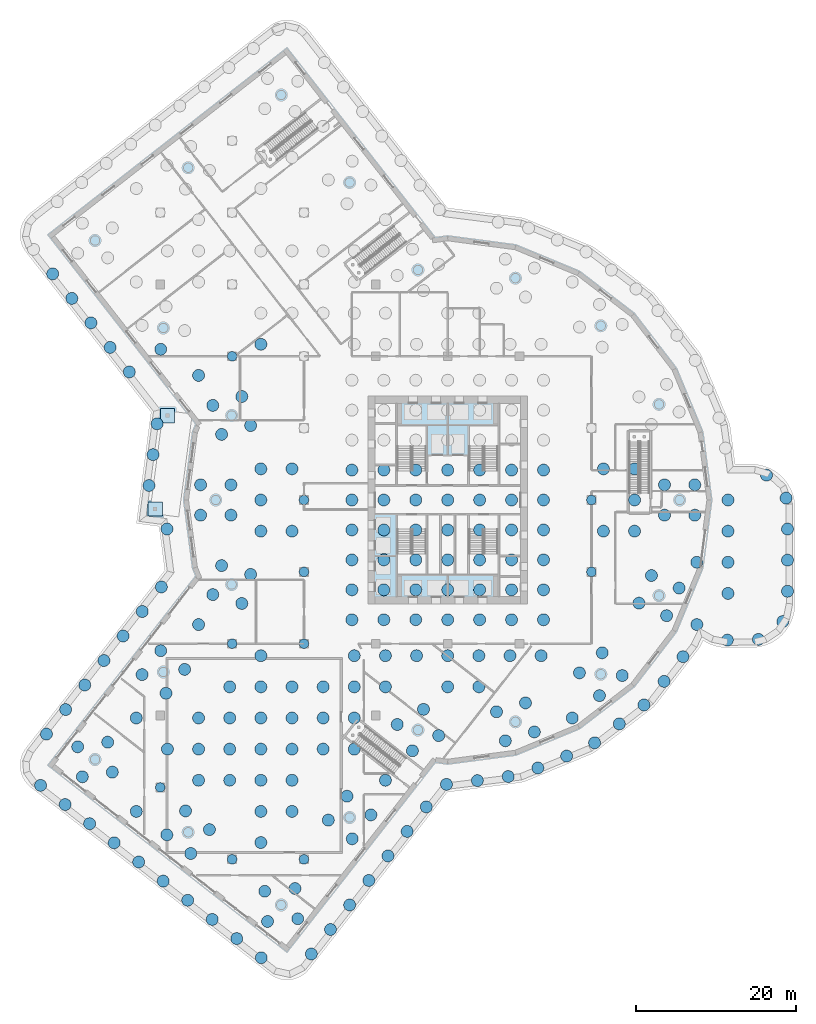
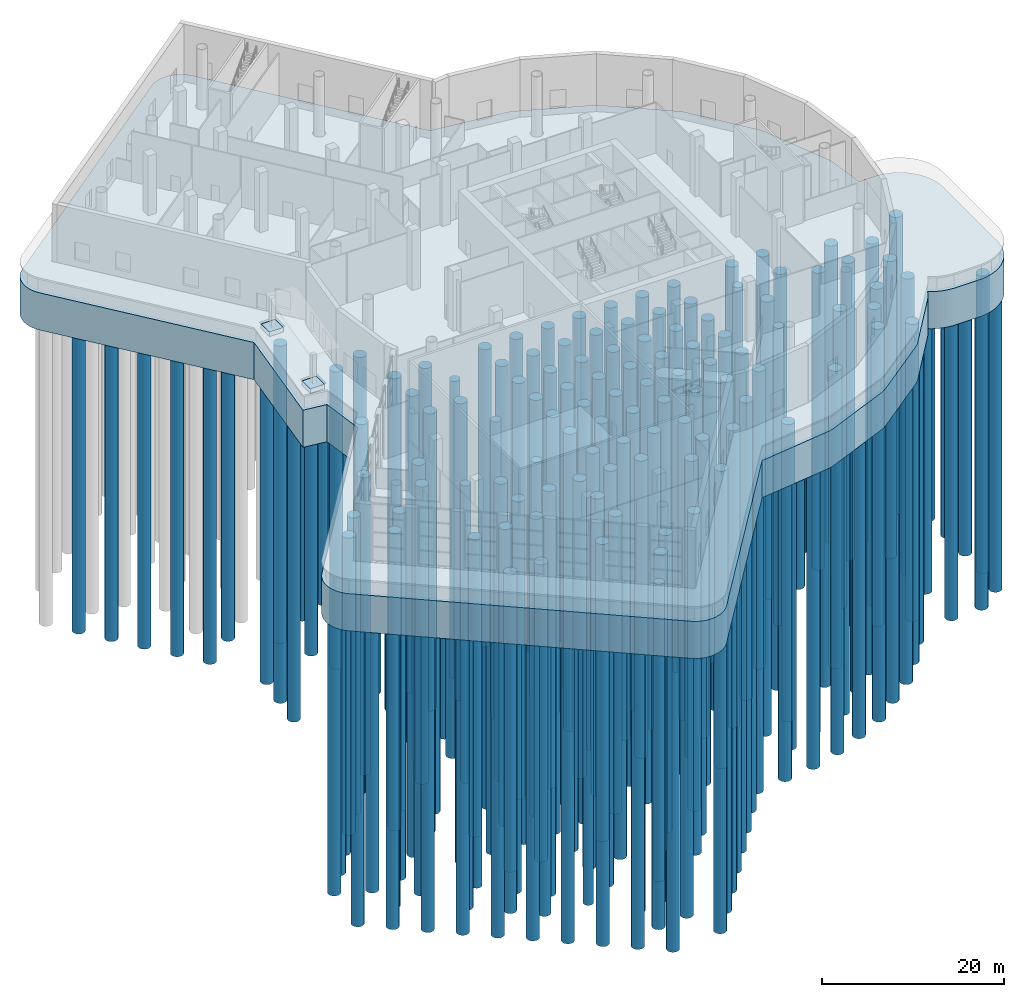
# One storey, part 1 of 34: 215 piles, 3 footings.
"""IFC4 building model written with IfcOpenShell, lengths in metres."""

import ifcopenshell
import ifcopenshell.guid

model = None  # the IFC model being written
_history = None  # IfcOwnerHistory: only IFC2X3 demands one
_inside = {}  # id of a spatial element -> (the spatial element, [elements in it])
_under = {}  # id of a project, library or spatial element -> (it, [spatial elements below it])
_declared = {}  # id of a project -> (the project, [libraries it declares])
_typed = {}  # id of a type object -> (the type object, [elements of that type])
_made_of = {}  # id of a material, layer set ... -> (it, [elements and type objects made of it])


def new_model(schema):
    """Start an empty IFC model of exactly this schema.

    Asked for "IFC4X3", IfcOpenShell would pick the latest addendum, in which some entities
    have other attributes; the version numbers below select the first issue.
    IFC2X3 requires an IfcOwnerHistory on every rooted entity: one is made here for all.
    """
    global model, _history
    if schema == "IFC4X3":
        model = ifcopenshell.file(schema_version=(4, 3, 0, 0))
    else:
        model = ifcopenshell.file(schema=schema)
    _inside.clear()
    _under.clear()
    _declared.clear()
    _typed.clear()
    _made_of.clear()
    _history = None
    if model.schema == "IFC2X3":
        org = make("IfcOrganization", Name="unknown")
        user = make(
            "IfcPersonAndOrganization",
            ThePerson=make("IfcPerson", FamilyName="unknown"),
            TheOrganization=org,
        )
        app = make(
            "IfcApplication",
            ApplicationDeveloper=org,
            Version="unknown",
            ApplicationFullName="unknown",
            ApplicationIdentifier="unknown",
        )
        _history = make(
            "IfcOwnerHistory",
            OwningUser=user,
            OwningApplication=app,
            ChangeAction="ADDED",
            CreationDate=0,
        )
    return model


def make(cls, **values):
    """One entity of the class cls with the attributes given. An attribute that is None is left unset."""
    return model.create_entity(
        cls, **{name: value for name, value in values.items() if value is not None}
    )


def rooted(cls, **values):
    """An entity with a GlobalId (a new one), such as an element, a storey or a relation."""
    return make(cls, GlobalId=ifcopenshell.guid.new(), OwnerHistory=_history, **values)


def si_unit(unit_type, name, prefix=None):
    """IfcSIUnit, for example si_unit("LENGTHUNIT", "METRE", prefix="MILLI")."""
    return make("IfcSIUnit", UnitType=unit_type, Prefix=prefix, Name=name)


def assignment(units):
    """IfcUnitAssignment: the units of a project."""
    return None if units is None else make("IfcUnitAssignment", Units=units)


def point(xyz):
    """IfcCartesianPoint."""
    return None if xyz is None else make("IfcCartesianPoint", Coordinates=xyz)


def direction(xyz):
    """IfcDirection."""
    return None if xyz is None else make("IfcDirection", DirectionRatios=xyz)


def frame(location, z_axis=None, x_axis=None):
    """IfcAxis2Placement3D, a coordinate frame: its origin and axes. An axis left out is left unset."""
    return make(
        "IfcAxis2Placement3D",
        Location=point(location),
        Axis=direction(z_axis),
        RefDirection=direction(x_axis),
    )


def frame_2d(location, x_axis=None):
    """IfcAxis2Placement2D, a coordinate frame in the plane: its origin and x axis."""
    return make(
        "IfcAxis2Placement2D", Location=point(location), RefDirection=direction(x_axis)
    )


def origin():
    """The frame at (0, 0, 0) with its axes left unset."""
    return frame((0.0, 0.0, 0.0))


def origin_2d():
    """The frame at (0, 0) in the plane with its x axis left unset."""
    return frame_2d((0.0, 0.0))


def place(relative_to, where):
    """IfcLocalPlacement: puts the frame where relative to a parent placement (None: the world)."""
    return make(
        "IfcLocalPlacement", PlacementRelTo=relative_to, RelativePlacement=where
    )


def context(
    kind, dimensions, precision=None, world=None, true_north=None, identifier=None
):
    """IfcGeometricRepresentationContext, for example the 3D "Model" context."""
    return make(
        "IfcGeometricRepresentationContext",
        ContextIdentifier=identifier,
        ContextType=kind,
        CoordinateSpaceDimension=dimensions,
        Precision=precision,
        WorldCoordinateSystem=world,
        TrueNorth=true_north,
    )


def subcontext(parent, identifier, kind, view, scale=None):
    """IfcGeometricRepresentationSubContext, for example "Body" below "Model"."""
    return make(
        "IfcGeometricRepresentationSubContext",
        ContextIdentifier=identifier,
        ContextType=kind,
        ParentContext=parent,
        TargetScale=scale,
        TargetView=view,
    )


def project(units=None, contexts=None):
    """IfcProject with its units and contexts."""
    return rooted(
        "IfcProject",
        Name="project",
        RepresentationContexts=contexts,
        UnitsInContext=assignment(units),
    )


def spatial(cls, under=None, at=None, **own):
    """A site, building, storey or space (cls), placed at a placement, below another one or the project."""
    s = rooted(cls, ObjectPlacement=at, **own)
    if under is not None:
        _under.setdefault(under.id(), (under, []))[1].append(s)
    return s


def polyline(points):
    """IfcPolyline through the points."""
    return make("IfcPolyline", Points=[point(p) for p in points])


def profile(cls, at=None, kind="AREA", **sizes):
    """A parametric profile (cls). Its sizes go by their IFC names, for example OverallWidth=200.0."""
    return make(cls, ProfileType=kind, Position=at, **sizes)


def circle(**sizes):
    """IfcCircleProfileDef."""
    return profile("IfcCircleProfileDef", **sizes)


def outline(outer, holes=None, kind="AREA"):
    """IfcArbitraryClosedProfileDef: a profile drawn as a closed curve; with holes, ...WithVoids."""
    if holes is None:
        return make("IfcArbitraryClosedProfileDef", ProfileType=kind, OuterCurve=outer)
    return make(
        "IfcArbitraryProfileDefWithVoids",
        ProfileType=kind,
        OuterCurve=outer,
        InnerCurves=holes,
    )


def extrude(swept, where, along, depth):
    """IfcExtrudedAreaSolid: the profile swept, set in the frame where, extruded along a direction by depth."""
    return make(
        "IfcExtrudedAreaSolid",
        SweptArea=swept,
        Position=where,
        ExtrudedDirection=direction(along),
        Depth=depth,
    )


def shape(context_of_items, identifier, shape_type, items):
    """IfcShapeRepresentation: the items that make up one representation, for example the "Body"."""
    return make(
        "IfcShapeRepresentation",
        ContextOfItems=context_of_items,
        RepresentationIdentifier=identifier,
        RepresentationType=shape_type,
        Items=items,
    )


def material(Name=None, Category=None):
    """IfcMaterial."""
    return make("IfcMaterial", Name=Name, Category=Category)


def layer(
    of_material, thickness, ventilated=None, Name=None, Category=None, Priority=None
):
    """IfcMaterialLayer: one layer of a wall or slab, of a material (None: an air gap)."""
    return make(
        "IfcMaterialLayer",
        Material=of_material,
        LayerThickness=thickness,
        IsVentilated=ventilated,
        Name=Name,
        Category=Category,
        Priority=Priority,
    )


def layer_set(layers, Name=None):
    """IfcMaterialLayerSet."""
    return make("IfcMaterialLayerSet", MaterialLayers=layers, LayerSetName=Name)


def material_profile(
    of_material, cross_section, Name=None, Category=None, Priority=None
):
    """IfcMaterialProfile: a cross section and its material."""
    return make(
        "IfcMaterialProfile",
        Name=Name,
        Material=of_material,
        Profile=cross_section,
        Priority=Priority,
        Category=Category,
    )


def profile_set(profiles, Name=None, composite=None):
    """IfcMaterialProfileSet."""
    return make(
        "IfcMaterialProfileSet",
        Name=Name,
        MaterialProfiles=profiles,
        CompositeProfile=composite,
    )


def made_of(thing, what):
    """Note that an element or type object is made of a material, layer set ...; save() writes the relation."""
    if what is not None:
        _made_of.setdefault(what.id(), (what, []))[1].append(thing)
    return thing


def type_object(cls, material=None, **own):
    """A type object (cls), such as IfcWallType, which elements share."""
    return made_of(rooted(cls, **own), material)


def element(
    cls,
    number,
    at=None,
    inside=None,
    cuts=None,
    type_object=None,
    material=None,
    context=None,
    identifier="Body",
    shape_type=None,
    held_by="IfcProductDefinitionShape",
    body=None,
    shapes=None,
    **own,
):
    """One element of the class cls, such as IfcWall. Its Tag is "e" and its number.

    at: its placement. inside: the storey or other place that contains it. cuts: it is an
    opening in that element (IfcRelVoidsElement). A single representation is given by context,
    identifier, shape_type and body (its items); several are given by shapes. held_by: the class
    of the entity that holds the representations. save() writes the other relations.
    """
    e = rooted(cls, Tag="e%d" % number, ObjectPlacement=at, **own)
    if body is not None:
        shapes = [shape(context, identifier, shape_type, body)]
    if shapes is not None:
        e.Representation = make(held_by, Representations=shapes)
    if inside is not None:
        _inside.setdefault(inside.id(), (inside, []))[1].append(e)
    if cuts is not None:
        rooted(
            "IfcRelVoidsElement", RelatingBuildingElement=cuts, RelatedOpeningElement=e
        )
    if type_object is not None:
        _typed.setdefault(type_object.id(), (type_object, []))[1].append(e)
    return made_of(e, material)


def aggregate(whole, parts):
    """IfcRelAggregates: a whole, such as a stair, and the parts it consists of."""
    return rooted("IfcRelAggregates", RelatingObject=whole, RelatedObjects=parts)


def save(model, path):
    """Write the relations noted so far, then the file.

    IfcRelAggregates (storeys below a building ...), IfcRelContainedInSpatialStructure (elements
    in a storey), IfcRelDefinesByType, IfcRelAssociatesMaterial and IfcRelDeclares: one each for
    every whole, place, type object, material and project.
    """
    for whole, parts in _under.values():
        aggregate(whole, parts)
    for where, things in _inside.values():
        rooted(
            "IfcRelContainedInSpatialStructure",
            RelatedElements=things,
            RelatingStructure=where,
        )
    for kind, things in _typed.values():
        rooted("IfcRelDefinesByType", RelatedObjects=things, RelatingType=kind)
    for what, things in _made_of.values():
        rooted("IfcRelAssociatesMaterial", RelatedObjects=things, RelatingMaterial=what)
    for by, libraries in _declared.values():
        rooted("IfcRelDeclares", RelatingContext=by, RelatedDefinitions=libraries)
    model.write(path)


model = new_model("IFC4")

# Units and contexts
model_context = context("Model", 3, precision=1e-05, world=origin(), true_north=direction((0.0, 1.0)))
body_context = subcontext(model_context, "Body", "Model", "MODEL_VIEW")
ifc_project = project(units=[si_unit("LENGTHUNIT", "METRE"), si_unit("AREAUNIT", "SQUARE_METRE"), si_unit("VOLUMEUNIT", "CUBIC_METRE"), si_unit("PLANEANGLEUNIT", "RADIAN"), si_unit("MASSUNIT", "GRAM", prefix="KILO")], contexts=[model_context])

# Site, building, storey
site_placement = place(None, origin())
site = spatial("IfcSite", under=ifc_project, at=site_placement, CompositionType="ELEMENT")
building_placement = place(site_placement, origin())
building = spatial("IfcBuilding", under=site, at=building_placement, Name="Tarsis Ring Headquarters", CompositionType="ELEMENT")
storey_placement = place(building_placement, origin())
storey = spatial("IfcBuildingStorey", under=building, at=storey_placement, Name="L00", CompositionType="ELEMENT", Elevation=0.0)

# Piles
ifc_material_1 = material(Name="Concrete C40/50", Category="concrete")
ifc_material_profile_1 = material_profile(ifc_material_1, circle(Radius=0.60009765625, at=origin_2d()), Name="BORED 1200")
ifc_profile_set_1 = profile_set([ifc_material_profile_1], Name="Concrete C40/50")
pile_type_1 = type_object("IfcPileType", Name="FD Bored pile 1200", PredefinedType="BORED", material=ifc_profile_set_1)
for number, where, z_axis, x_axis, name in (
    (1, (-36.0, -36.0, -6.85009765625), (0.0, 0.0, -1.0), (1.0, 0.0, 0.0), "Bored pile"),
    (2, (-27.0, -45.0, -6.85009765625), (0.0, 0.0, -1.0), (1.0, 0.0, 0.0), "Bored pile"),
    (3, (-27.0, -18.0, -6.85009765625), (0.0, 0.0, -1.0), (1.0, 0.0, 0.0), "Bored pile"),
    (4, (-27.0, 18.0, -6.85009765625), (0.0, 0.0, -1.0), (1.0, 0.0, 0.0), "Bored pile"),
    (5, (-18.0, -45.0, -6.85009765625), (0.0, 0.0, -1.0), (1.0, 0.0, 0.0), "Bored pile"),
    (6, (-18.0, -18.0, -6.85009765625), (0.0, 0.0, -1.0), (1.0, 0.0, 0.0), "Bored pile"),
    (7, (-18.0, -9.0, -6.85009765625), (0.0, 0.0, -1.0), (1.0, 0.0, 0.0), "Bored pile"),
    (8, (-18.0, 0.0, -6.85009765625), (0.0, 0.0, -1.0), (1.0, 0.0, 0.0), "Bored pile"),
    (9, (18.0, -9.0, -6.85009765625), (0.0, 0.0, -1.0), (1.0, 0.0, 0.0), "Bored pile"),
    (10, (18.0, 0.0, -6.85009765625), (0.0, 0.0, -1.0), (1.0, 0.0, 0.0), "Bored pile"),
):
    element("IfcPile", number, at=place(storey_placement, frame(where, z_axis=z_axis, x_axis=x_axis)), inside=storey, type_object=pile_type_1, Name=name, PredefinedType="BORED", context=body_context, shape_type="SweptSolid", body=[
        extrude(circle(Radius=0.60009765625, at=origin_2d()), origin(), (0.0, 0.0, 1.0), 40.0),
    ])
ifc_material_profile_2 = material_profile(ifc_material_1, circle(Radius=0.75, at=origin_2d()), Name="BORED 1500")
ifc_profile_set_2 = profile_set([ifc_material_profile_2], Name="Concrete C40/50")
pile_type_2 = type_object("IfcPileType", Name="FD Bored pile 1500", PredefinedType="BORED", material=ifc_profile_set_2)
for number, where, z_axis, x_axis, name in (
    (11, (-12.0, -15.0, -6.85009765625), (0.0, 0.0, -1.0), (1.0, 0.0, 0.0), "Bored pile"),
    (12, (-12.0, -11.25, -6.85009765625), (0.0, 0.0, -1.0), (1.0, 0.0, 0.0), "Bored pile"),
    (13, (-12.0, -7.5, -6.85009765625), (0.0, 0.0, -1.0), (1.0, 0.0, 0.0), "Bored pile"),
    (14, (-12.0, -3.75, -6.85009765625), (0.0, 0.0, -1.0), (1.0, 0.0, 0.0), "Bored pile"),
    (15, (-12.0, 0.0, -6.85009765625), (0.0, 0.0, -1.0), (1.0, 0.0, 0.0), "Bored pile"),
    (16, (-12.0, 3.75, -6.85009765625), (0.0, 0.0, -1.0), (1.0, 0.0, 0.0), "Bored pile"),
    (17, (-8.0, -15.0, -6.85009765625), (0.0, 0.0, -1.0), (1.0, 0.0, 0.0), "Bored pile"),
    (18, (-8.0, -11.25, -6.85009765625), (0.0, 0.0, -1.0), (1.0, 0.0, 0.0), "Bored pile"),
    (19, (-8.0, -7.5, -6.85009765625), (0.0, 0.0, -1.0), (1.0, 0.0, 0.0), "Bored pile"),
    (20, (-8.0, -3.75, -6.85009765625), (0.0, 0.0, -1.0), (1.0, 0.0, 0.0), "Bored pile"),
    (21, (-8.0, 0.0, -6.85009765625), (0.0, 0.0, -1.0), (1.0, 0.0, 0.0), "Bored pile"),
    (22, (-8.0, 3.75, -6.85009765625), (0.0, 0.0, -1.0), (1.0, 0.0, 0.0), "Bored pile"),
    (23, (-4.0, -15.0, -6.85009765625), (0.0, 0.0, -1.0), (1.0, 0.0, 0.0), "Bored pile"),
    (24, (-4.0, -11.25, -6.85009765625), (0.0, 0.0, -1.0), (1.0, 0.0, 0.0), "Bored pile"),
    (25, (-4.0, -7.5, -6.85009765625), (0.0, 0.0, -1.0), (1.0, 0.0, 0.0), "Bored pile"),
    (26, (-4.0, -3.75, -6.85009765625), (0.0, 0.0, -1.0), (1.0, 0.0, 0.0), "Bored pile"),
    (27, (-4.0, 0.0, -6.85009765625), (0.0, 0.0, -1.0), (1.0, 0.0, 0.0), "Bored pile"),
    (28, (-4.0, 3.75, -6.85009765625), (0.0, 0.0, -1.0), (1.0, 0.0, 0.0), "Bored pile"),
    (29, (0.0, -15.0, -6.85009765625), (0.0, 0.0, -1.0), (1.0, 0.0, 0.0), "Bored pile"),
    (30, (0.0, -11.25, -6.85009765625), (0.0, 0.0, -1.0), (1.0, 0.0, 0.0), "Bored pile"),
    (31, (0.0, -7.5, -6.85009765625), (0.0, 0.0, -1.0), (1.0, 0.0, 0.0), "Bored pile"),
    (32, (0.0, -3.75, -6.85009765625), (0.0, 0.0, -1.0), (1.0, 0.0, 0.0), "Bored pile"),
    (33, (0.0, 0.0, -6.85009765625), (0.0, 0.0, -1.0), (1.0, 0.0, 0.0), "Bored pile"),
    (34, (0.0, 3.75, -6.85009765625), (0.0, 0.0, -1.0), (1.0, 0.0, 0.0), "Bored pile"),
    (35, (4.0, -15.0, -6.85009765625), (0.0, 0.0, -1.0), (1.0, 0.0, 0.0), "Bored pile"),
    (36, (4.0, -11.25, -6.85009765625), (0.0, 0.0, -1.0), (1.0, 0.0, 0.0), "Bored pile"),
    (37, (4.0, -7.5, -6.85009765625), (0.0, 0.0, -1.0), (1.0, 0.0, 0.0), "Bored pile"),
    (38, (4.0, -3.75, -6.85009765625), (0.0, 0.0, -1.0), (1.0, 0.0, 0.0), "Bored pile"),
    (39, (4.0, 0.0, -6.85009765625), (0.0, 0.0, -1.0), (1.0, 0.0, 0.0), "Bored pile"),
    (40, (4.0, 3.75, -6.85009765625), (0.0, 0.0, -1.0), (1.0, 0.0, 0.0), "Bored pile"),
    (41, (8.0, -15.0, -6.85009765625), (0.0, 0.0, -1.0), (1.0, 0.0, 0.0), "Bored pile"),
    (42, (8.0, -11.25, -6.85009765625), (0.0, 0.0, -1.0), (1.0, 0.0, 0.0), "Bored pile"),
    (43, (8.0, -7.5, -6.85009765625), (0.0, 0.0, -1.0), (1.0, 0.0, 0.0), "Bored pile"),
    (44, (8.0, -3.75, -6.85009765625), (0.0, 0.0, -1.0), (1.0, 0.0, 0.0), "Bored pile"),
    (45, (8.0, 0.0, -6.85009765625), (0.0, 0.0, -1.0), (1.0, 0.0, 0.0), "Bored pile"),
    (46, (8.0, 3.75, -6.85009765625), (0.0, 0.0, -1.0), (1.0, 0.0, 0.0), "Bored pile"),
    (47, (12.0, -15.0, -6.85009765625), (0.0, 0.0, -1.0), (1.0, 0.0, 0.0), "Bored pile"),
    (48, (12.0, -11.25, -6.85009765625), (0.0, 0.0, -1.0), (1.0, 0.0, 0.0), "Bored pile"),
    (49, (12.0, -7.5, -6.85009765625), (0.0, 0.0, -1.0), (1.0, 0.0, 0.0), "Bored pile"),
    (50, (12.0, -3.75, -6.85009765625), (0.0, 0.0, -1.0), (1.0, 0.0, 0.0), "Bored pile"),
    (51, (12.0, 0.0, -6.85009765625), (0.0, 0.0, -1.0), (1.0, 0.0, 0.0), "Bored pile"),
    (52, (12.0, 3.75, -6.85009765625), (0.0, 0.0, -1.0), (1.0, 0.0, 0.0), "Bored pile"),
    (53, (-30.948486328125, 1.89990234375, -6.85009765625), (0.0, 0.0, -1.0), (1.0, 0.0, 0.0), "Bored pile"),
    (54, (-30.948486328125, -1.89990234375, -6.85009765625), (0.0, 0.0, -1.0), (1.0, 0.0, 0.0), "Bored pile"),
    (55, (-27.1484375, -1.89990234375, -6.85009765625), (0.0, 0.0, -1.0), (1.0, 0.0, 0.0), "Bored pile"),
    (56, (-27.1484375, 1.89990234375, -6.85009765625), (0.0, 0.0, -1.0), (1.0, 0.0, 0.0), "Bored pile"),
    (57, (-28.315185546875, -8.213623046875, -6.85009765625), (0.0, 0.0, -1.0), (1.0, 0.0, 0.0), "Bored pile"),
    (58, (-29.422607421875, -11.848876953125, -6.85009765625), (0.0, 0.0, -1.0), (1.0, 0.0, 0.0), "Bored pile"),
    (59, (-25.78759765625, -12.956298828125, -6.85009765625), (0.0, 0.0, -1.0), (1.0, 0.0, 0.0), "Bored pile"),
    (60, (-24.68017578125, -9.321044921875, -6.85009765625), (0.0, 0.0, -1.0), (1.0, 0.0, 0.0), "Bored pile"),
    (61, (-35.93798828125, -18.873046875, -6.85009765625), (0.0, 0.0, -1.0), (1.0, 0.0, 0.0), "Bored pile"),
    (62, (-38.27734375, -21.867431640625, -6.85009765625), (0.0, 0.0, -1.0), (1.0, 0.0, 0.0), "Bored pile"),
    (63, (-35.282958984375, -24.20703125, -6.85009765625), (0.0, 0.0, -1.0), (1.0, 0.0, 0.0), "Bored pile"),
    (64, (-32.943359375, -21.212646484375, -6.85009765625), (0.0, 0.0, -1.0), (1.0, 0.0, 0.0), "Bored pile"),
    (65, (-46.337646484375, -30.907958984375, -6.85009765625), (0.0, 0.0, -1.0), (1.0, 0.0, 0.0), "Bored pile"),
    (66, (-45.7568359375, -34.663330078125, -6.85009765625), (0.0, 0.0, -1.0), (1.0, 0.0, 0.0), "Bored pile"),
    (67, (-42.00146484375, -34.08251953125, -6.85009765625), (0.0, 0.0, -1.0), (1.0, 0.0, 0.0), "Bored pile"),
    (68, (-42.582275390625, -30.3271484375, -6.85009765625), (0.0, 0.0, -1.0), (1.0, 0.0, 0.0), "Bored pile"),
    (69, (-35.173828125, -41.934326171875, -6.85009765625), (0.0, 0.0, -1.0), (1.0, 0.0, 0.0), "Bored pile"),
    (70, (-32.179443359375, -44.27392578125, -6.85009765625), (0.0, 0.0, -1.0), (1.0, 0.0, 0.0), "Bored pile"),
    (71, (-29.83984375, -41.279541015625, -6.85009765625), (0.0, 0.0, -1.0), (1.0, 0.0, 0.0), "Bored pile"),
    (72, (-32.83447265625, -38.93994140625, -6.85009765625), (0.0, 0.0, -1.0), (1.0, 0.0, 0.0), "Bored pile"),
    (73, (-22.56396484375, -52.783447265625, -6.85009765625), (0.0, 0.0, -1.0), (1.0, 0.0, 0.0), "Bored pile"),
    (74, (-18.77978515625, -52.4384765625, -6.85009765625), (0.0, 0.0, -1.0), (1.0, 0.0, 0.0), "Bored pile"),
    (75, (-19.124755859375, -48.654052734375, -6.85009765625), (0.0, 0.0, -1.0), (1.0, 0.0, 0.0), "Bored pile"),
    (76, (-22.908935546875, -48.9990234375, -6.85009765625), (0.0, 0.0, -1.0), (1.0, 0.0, 0.0), "Bored pile"),
    (77, (-11.957763671875, -42.4306640625, -6.85009765625), (0.0, 0.0, -1.0), (1.0, 0.0, 0.0), "Bored pile"),
    (78, (-9.618408203125, -39.436279296875, -6.85009765625), (0.0, 0.0, -1.0), (1.0, 0.0, 0.0), "Bored pile"),
    (79, (-12.61279296875, -37.0966796875, -6.85009765625), (0.0, 0.0, -1.0), (1.0, 0.0, 0.0), "Bored pile"),
    (80, (-14.952392578125, -40.091064453125, -6.85009765625), (0.0, 0.0, -1.0), (1.0, 0.0, 0.0), "Bored pile"),
    (81, (-4.42236328125, -31.40380859375, -6.85009765625), (0.0, 0.0, -1.0), (1.0, 0.0, 0.0), "Bored pile"),
    (82, (-1.131103515625, -29.5048828125, -6.85009765625), (0.0, 0.0, -1.0), (1.0, 0.0, 0.0), "Bored pile"),
    (83, (-3.030029296875, -26.21337890625, -6.85009765625), (0.0, 0.0, -1.0), (1.0, 0.0, 0.0), "Bored pile"),
    (84, (-6.321533203125, -28.1123046875, -6.85009765625), (0.0, 0.0, -1.0), (1.0, 0.0, 0.0), "Bored pile"),
    (85, (7.217041015625, -30.1552734375, -6.85009765625), (0.0, 0.0, -1.0), (1.0, 0.0, 0.0), "Bored pile"),
    (86, (10.8515625, -29.0458984375, -6.85009765625), (0.0, 0.0, -1.0), (1.0, 0.0, 0.0), "Bored pile"),
    (87, (9.7421875, -25.411376953125, -6.85009765625), (0.0, 0.0, -1.0), (1.0, 0.0, 0.0), "Bored pile"),
    (88, (6.10791015625, -26.520751953125, -6.85009765625), (0.0, 0.0, -1.0), (1.0, 0.0, 0.0), "Bored pile"),
    (89, (19.005126953125, -24.49951171875, -6.85009765625), (0.0, 0.0, -1.0), (1.0, 0.0, 0.0), "Bored pile"),
    (90, (21.859130859375, -21.99072265625, -6.85009765625), (0.0, 0.0, -1.0), (1.0, 0.0, 0.0), "Bored pile"),
    (91, (19.3505859375, -19.13671875, -6.85009765625), (0.0, 0.0, -1.0), (1.0, 0.0, 0.0), "Bored pile"),
    (92, (16.496337890625, -21.6455078125, -6.85009765625), (0.0, 0.0, -1.0), (1.0, 0.0, 0.0), "Bored pile"),
    (93, (27.4140625, -14.48779296875, -6.85009765625), (0.0, 0.0, -1.0), (1.0, 0.0, 0.0), "Bored pile"),
    (94, (28.980224609375, -11.025634765625, -6.85009765625), (0.0, 0.0, -1.0), (1.0, 0.0, 0.0), "Bored pile"),
    (95, (25.51806640625, -9.459228515625, -6.85009765625), (0.0, 0.0, -1.0), (1.0, 0.0, 0.0), "Bored pile"),
    (96, (23.951904296875, -12.92138671875, -6.85009765625), (0.0, 0.0, -1.0), (1.0, 0.0, 0.0), "Bored pile"),
    (97, (30.948486328125, -1.89990234375, -6.85009765625), (0.0, 0.0, -1.0), (1.0, 0.0, 0.0), "Bored pile"),
    (98, (30.948486328125, 1.89990234375, -6.85009765625), (0.0, 0.0, -1.0), (1.0, 0.0, 0.0), "Bored pile"),
    (99, (27.1484375, 1.89990234375, -6.85009765625), (0.0, 0.0, -1.0), (1.0, 0.0, 0.0), "Bored pile"),
    (100, (27.1484375, -1.89990234375, -6.85009765625), (0.0, 0.0, -1.0), (1.0, 0.0, 0.0), "Bored pile"),
    (101, (-35.93798828125, 18.873046875, -6.85009765625), (0.0, 0.0, -1.0), (1.0, 0.0, 0.0), "Bored pile"),
    (102, (-29.422607421875, 11.848876953125, -6.85009765625), (0.0, 0.0, -1.0), (1.0, 0.0, 0.0), "Bored pile"),
    (103, (-28.315185546875, 8.213623046875, -6.85009765625), (0.0, 0.0, -1.0), (1.0, 0.0, 0.0), "Bored pile"),
    (104, (-24.68017578125, 9.321044921875, -6.85009765625), (0.0, 0.0, -1.0), (1.0, 0.0, 0.0), "Bored pile"),
    (105, (-25.78759765625, 12.956298828125, -6.85009765625), (0.0, 0.0, -1.0), (1.0, 0.0, 0.0), "Bored pile"),
    (106, (35.023193359375, -17.550048828125, -6.85009765625), (0.0, 0.0, -1.0), (1.0, 0.0, 0.0), "Bored pile"),
    (107, (29.470947265625, -19.624755859375, -6.85009765625), (0.0, 0.0, -1.0), (1.0, 0.0, 0.0), "Bored pile"),
    (108, (27.09912109375, -22.7158203125, -6.85009765625), (0.0, 0.0, -1.0), (1.0, 0.0, 0.0), "Bored pile"),
    (109, (24.58154296875, -25.667236328125, -6.85009765625), (0.0, 0.0, -1.0), (1.0, 0.0, 0.0), "Bored pile"),
    (110, (21.490478515625, -28.039306640625, -6.85009765625), (0.0, 0.0, -1.0), (1.0, 0.0, 0.0), "Bored pile"),
    (111, (18.3994140625, -30.4111328125, -6.85009765625), (0.0, 0.0, -1.0), (1.0, 0.0, 0.0), "Bored pile"),
    (112, (14.8916015625, -32.06982421875, -6.85009765625), (0.0, 0.0, -1.0), (1.0, 0.0, 0.0), "Bored pile"),
    (113, (11.2919921875, -33.56103515625, -6.85009765625), (0.0, 0.0, -1.0), (1.0, 0.0, 0.0), "Bored pile"),
    (114, (7.576171875, -34.635009765625, -6.85009765625), (0.0, 0.0, -1.0), (1.0, 0.0, 0.0), "Bored pile"),
    (115, (3.71337890625, -35.1435546875, -6.85009765625), (0.0, 0.0, -1.0), (1.0, 0.0, 0.0), "Bored pile"),
    (116, (-0.1533203125, -35.61376953125, -6.85009765625), (0.0, 0.0, -1.0), (1.0, 0.0, 0.0), "Bored pile"),
    (117, (-2.681884765625, -38.435791015625, -6.85009765625), (0.0, 0.0, -1.0), (1.0, 0.0, 0.0), "Bored pile"),
    (118, (-5.080810546875, -41.506103515625, -6.85009765625), (0.0, 0.0, -1.0), (1.0, 0.0, 0.0), "Bored pile"),
    (119, (-7.4794921875, -44.576416015625, -6.85009765625), (0.0, 0.0, -1.0), (1.0, 0.0, 0.0), "Bored pile"),
    (120, (-9.87841796875, -47.646728515625, -6.85009765625), (0.0, 0.0, -1.0), (1.0, 0.0, 0.0), "Bored pile"),
    (121, (-12.277099609375, -50.717041015625, -6.85009765625), (0.0, 0.0, -1.0), (1.0, 0.0, 0.0), "Bored pile"),
    (122, (-14.67578125, -53.787109375, -6.85009765625), (0.0, 0.0, -1.0), (1.0, 0.0, 0.0), "Bored pile"),
    (123, (-17.07470703125, -56.857421875, -6.85009765625), (0.0, 0.0, -1.0), (1.0, 0.0, 0.0), "Bored pile"),
    (124, (-23.3505859375, -57.326416015625, -6.85009765625), (0.0, 0.0, -1.0), (1.0, 0.0, 0.0), "Bored pile"),
    (125, (-26.4208984375, -54.927734375, -6.85009765625), (0.0, 0.0, -1.0), (1.0, 0.0, 0.0), "Bored pile"),
    (126, (-29.4912109375, -52.52880859375, -6.85009765625), (0.0, 0.0, -1.0), (1.0, 0.0, 0.0), "Bored pile"),
    (127, (-32.5615234375, -50.130126953125, -6.85009765625), (0.0, 0.0, -1.0), (1.0, 0.0, 0.0), "Bored pile"),
    (128, (-35.6318359375, -47.7314453125, -6.85009765625), (0.0, 0.0, -1.0), (1.0, 0.0, 0.0), "Bored pile"),
    (129, (-38.7021484375, -45.33251953125, -6.85009765625), (0.0, 0.0, -1.0), (1.0, 0.0, 0.0), "Bored pile"),
    (130, (-41.7724609375, -42.933837890625, -6.85009765625), (0.0, 0.0, -1.0), (1.0, 0.0, 0.0), "Bored pile"),
    (131, (-44.8427734375, -40.53515625, -6.85009765625), (0.0, 0.0, -1.0), (1.0, 0.0, 0.0), "Bored pile"),
    (132, (-47.9130859375, -38.13623046875, -6.85009765625), (0.0, 0.0, -1.0), (1.0, 0.0, 0.0), "Bored pile"),
    (133, (-50.9833984375, -35.737548828125, -6.85009765625), (0.0, 0.0, -1.0), (1.0, 0.0, 0.0), "Bored pile"),
    (134, (-50.249755859375, -29.313720703125, -6.85009765625), (0.0, 0.0, -1.0), (1.0, 0.0, 0.0), "Bored pile"),
    (135, (-47.85107421875, -26.24365234375, -6.85009765625), (0.0, 0.0, -1.0), (1.0, 0.0, 0.0), "Bored pile"),
    (136, (-45.452392578125, -23.17333984375, -6.85009765625), (0.0, 0.0, -1.0), (1.0, 0.0, 0.0), "Bored pile"),
    (137, (-43.053466796875, -20.10302734375, -6.85009765625), (0.0, 0.0, -1.0), (1.0, 0.0, 0.0), "Bored pile"),
    (138, (-40.65478515625, -17.03271484375, -6.85009765625), (0.0, 0.0, -1.0), (1.0, 0.0, 0.0), "Bored pile"),
    (139, (-38.256103515625, -13.96240234375, -6.85009765625), (0.0, 0.0, -1.0), (1.0, 0.0, 0.0), "Bored pile"),
    (140, (-35.857177734375, -10.89208984375, -6.85009765625), (0.0, 0.0, -1.0), (1.0, 0.0, 0.0), "Bored pile"),
    (141, (-35.15380859375, -3.63525390625, -6.85009765625), (0.0, 0.0, -1.0), (1.0, 0.0, 0.0), "Bored pile"),
    (142, (-37.41064453125, 1.815185546875, -6.85009765625), (0.0, 0.0, -1.0), (1.0, 0.0, 0.0), "Bored pile"),
    (143, (-36.902099609375, 5.67822265625, -6.85009765625), (0.0, 0.0, -1.0), (1.0, 0.0, 0.0), "Bored pile"),
    (144, (-36.3935546875, 9.541015625, -6.85009765625), (0.0, 0.0, -1.0), (1.0, 0.0, 0.0), "Bored pile"),
    (145, (-39.87890625, 16.03955078125, -6.85009765625), (0.0, 0.0, -1.0), (1.0, 0.0, 0.0), "Bored pile"),
    (146, (-42.277587890625, 19.10986328125, -6.85009765625), (0.0, 0.0, -1.0), (1.0, 0.0, 0.0), "Bored pile"),
    (147, (-44.67626953125, 22.18017578125, -6.85009765625), (0.0, 0.0, -1.0), (1.0, 0.0, 0.0), "Bored pile"),
    (148, (-47.0751953125, 25.25048828125, -6.85009765625), (0.0, 0.0, -1.0), (1.0, 0.0, 0.0), "Bored pile"),
    (149, (-49.473876953125, 28.320556640625, -6.85009765625), (0.0, 0.0, -1.0), (1.0, 0.0, 0.0), "Bored pile"),
    (150, (39.923583984375, 3.1162109375, -6.85009765625), (0.0, 0.0, -1.0), (1.0, 0.0, 0.0), "Bored pile"),
    (151, (42.37255859375, 0.241943359375, -6.85009765625), (0.0, 0.0, -1.0), (1.0, 0.0, 0.0), "Bored pile"),
    (152, (42.550048828125, -3.637939453125, -6.85009765625), (0.0, 0.0, -1.0), (1.0, 0.0, 0.0), "Bored pile"),
    (153, (42.550048828125, -7.5341796875, -6.85009765625), (0.0, 0.0, -1.0), (1.0, 0.0, 0.0), "Bored pile"),
    (154, (42.550048828125, -11.430419921875, -6.85009765625), (0.0, 0.0, -1.0), (1.0, 0.0, 0.0), "Bored pile"),
    (155, (41.963134765625, -15.2255859375, -6.85009765625), (0.0, 0.0, -1.0), (1.0, 0.0, 0.0), "Bored pile"),
    (156, (38.913330078125, -17.455078125, -6.85009765625), (0.0, 0.0, -1.0), (1.0, 0.0, 0.0), "Bored pile"),
    (157, (-39.0, -39.0, -6.85009765625), (0.0, 0.0, -1.0), (1.0, 0.0, 0.0), "Bored pile"),
    (158, (-39.0, -27.300048828125, -6.85009765625), (0.0, 0.0, -1.0), (1.0, 0.0, 0.0), "Bored pile"),
    (159, (-35.10009765625, -31.199951171875, -6.85009765625), (0.0, 0.0, -1.0), (1.0, 0.0, 0.0), "Bored pile"),
    (160, (-31.199951171875, -35.10009765625, -6.85009765625), (0.0, 0.0, -1.0), (1.0, 0.0, 0.0), "Bored pile"),
    (161, (-31.199951171875, -31.199951171875, -6.85009765625), (0.0, 0.0, -1.0), (1.0, 0.0, 0.0), "Bored pile"),
    (162, (-31.199951171875, -27.300048828125, -6.85009765625), (0.0, 0.0, -1.0), (1.0, 0.0, 0.0), "Bored pile"),
    (163, (-31.199951171875, -15.60009765625, -6.85009765625), (0.0, 0.0, -1.0), (1.0, 0.0, 0.0), "Bored pile"),
    (164, (-31.199951171875, 15.60009765625, -6.85009765625), (0.0, 0.0, -1.0), (1.0, 0.0, 0.0), "Bored pile"),
    (165, (-27.300048828125, -35.10009765625, -6.85009765625), (0.0, 0.0, -1.0), (1.0, 0.0, 0.0), "Bored pile"),
    (166, (-27.300048828125, -31.199951171875, -6.85009765625), (0.0, 0.0, -1.0), (1.0, 0.0, 0.0), "Bored pile"),
    (167, (-27.300048828125, -27.300048828125, -6.85009765625), (0.0, 0.0, -1.0), (1.0, 0.0, 0.0), "Bored pile"),
    (168, (-27.300048828125, -23.39990234375, -6.85009765625), (0.0, 0.0, -1.0), (1.0, 0.0, 0.0), "Bored pile"),
    (169, (-23.39990234375, -42.89990234375, -6.85009765625), (0.0, 0.0, -1.0), (1.0, 0.0, 0.0), "Bored pile"),
    (170, (-23.39990234375, -39.0, -6.85009765625), (0.0, 0.0, -1.0), (1.0, 0.0, 0.0), "Bored pile"),
    (171, (-23.39990234375, -35.10009765625, -6.85009765625), (0.0, 0.0, -1.0), (1.0, 0.0, 0.0), "Bored pile"),
    (172, (-23.39990234375, -31.199951171875, -6.85009765625), (0.0, 0.0, -1.0), (1.0, 0.0, 0.0), "Bored pile"),
    (173, (-23.39990234375, -27.300048828125, -6.85009765625), (0.0, 0.0, -1.0), (1.0, 0.0, 0.0), "Bored pile"),
    (174, (-23.39990234375, -23.39990234375, -6.85009765625), (0.0, 0.0, -1.0), (1.0, 0.0, 0.0), "Bored pile"),
    (175, (-23.39990234375, -19.5, -6.85009765625), (0.0, 0.0, -1.0), (1.0, 0.0, 0.0), "Bored pile"),
    (176, (-23.39990234375, -3.89990234375, -6.85009765625), (0.0, 0.0, -1.0), (1.0, 0.0, 0.0), "Bored pile"),
    (177, (-23.39990234375, 0.0, -6.85009765625), (0.0, 0.0, -1.0), (1.0, 0.0, 0.0), "Bored pile"),
    (178, (-23.39990234375, 3.89990234375, -6.85009765625), (0.0, 0.0, -1.0), (1.0, 0.0, 0.0), "Bored pile"),
    (179, (-23.39990234375, 19.5, -6.85009765625), (0.0, 0.0, -1.0), (1.0, 0.0, 0.0), "Bored pile"),
    (180, (-19.5, -39.0, -6.85009765625), (0.0, 0.0, -1.0), (1.0, 0.0, 0.0), "Bored pile"),
    (181, (-19.5, -35.10009765625, -6.85009765625), (0.0, 0.0, -1.0), (1.0, 0.0, 0.0), "Bored pile"),
    (182, (-19.5, -31.199951171875, -6.85009765625), (0.0, 0.0, -1.0), (1.0, 0.0, 0.0), "Bored pile"),
    (183, (-19.5, -27.300048828125, -6.85009765625), (0.0, 0.0, -1.0), (1.0, 0.0, 0.0), "Bored pile"),
    (184, (-19.5, -23.39990234375, -6.85009765625), (0.0, 0.0, -1.0), (1.0, 0.0, 0.0), "Bored pile"),
    (185, (-19.5, -3.89990234375, -6.85009765625), (0.0, 0.0, -1.0), (1.0, 0.0, 0.0), "Bored pile"),
    (186, (-19.5, 3.89990234375, -6.85009765625), (0.0, 0.0, -1.0), (1.0, 0.0, 0.0), "Bored pile"),
    (187, (-15.60009765625, -31.199951171875, -6.85009765625), (0.0, 0.0, -1.0), (1.0, 0.0, 0.0), "Bored pile"),
    (188, (-15.60009765625, -27.300048828125, -6.85009765625), (0.0, 0.0, -1.0), (1.0, 0.0, 0.0), "Bored pile"),
    (189, (-15.60009765625, -23.39990234375, -6.85009765625), (0.0, 0.0, -1.0), (1.0, 0.0, 0.0), "Bored pile"),
    (190, (-11.699951171875, -31.199951171875, -6.85009765625), (0.0, 0.0, -1.0), (1.0, 0.0, 0.0), "Bored pile"),
    (191, (-11.699951171875, -27.300048828125, -6.85009765625), (0.0, 0.0, -1.0), (1.0, 0.0, 0.0), "Bored pile"),
    (192, (-11.699951171875, -23.39990234375, -6.85009765625), (0.0, 0.0, -1.0), (1.0, 0.0, 0.0), "Bored pile"),
    (193, (-11.699951171875, -19.5, -6.85009765625), (0.0, 0.0, -1.0), (1.0, 0.0, 0.0), "Bored pile"),
    (194, (-7.800048828125, -35.10009765625, -6.85009765625), (0.0, 0.0, -1.0), (1.0, 0.0, 0.0), "Bored pile"),
    (195, (-7.800048828125, -23.39990234375, -6.85009765625), (0.0, 0.0, -1.0), (1.0, 0.0, 0.0), "Bored pile"),
    (196, (-7.800048828125, -19.5, -6.85009765625), (0.0, 0.0, -1.0), (1.0, 0.0, 0.0), "Bored pile"),
    (197, (-3.89990234375, -19.5, -6.85009765625), (0.0, 0.0, -1.0), (1.0, 0.0, 0.0), "Bored pile"),
    (198, (0.0, -23.39990234375, -6.85009765625), (0.0, 0.0, -1.0), (1.0, 0.0, 0.0), "Bored pile"),
    (199, (0.0, -19.5, -6.85009765625), (0.0, 0.0, -1.0), (1.0, 0.0, 0.0), "Bored pile"),
    (200, (3.89990234375, -23.39990234375, -6.85009765625), (0.0, 0.0, -1.0), (1.0, 0.0, 0.0), "Bored pile"),
    (201, (3.89990234375, -19.5, -6.85009765625), (0.0, 0.0, -1.0), (1.0, 0.0, 0.0), "Bored pile"),
    (202, (7.800048828125, -19.5, -6.85009765625), (0.0, 0.0, -1.0), (1.0, 0.0, 0.0), "Bored pile"),
    (203, (11.699951171875, -19.5, -6.85009765625), (0.0, 0.0, -1.0), (1.0, 0.0, 0.0), "Bored pile"),
    (204, (15.60009765625, -27.300048828125, -6.85009765625), (0.0, 0.0, -1.0), (1.0, 0.0, 0.0), "Bored pile"),
    (205, (19.5, -3.89990234375, -6.85009765625), (0.0, 0.0, -1.0), (1.0, 0.0, 0.0), "Bored pile"),
    (206, (19.5, 3.89990234375, -6.85009765625), (0.0, 0.0, -1.0), (1.0, 0.0, 0.0), "Bored pile"),
    (207, (23.39990234375, -3.89990234375, -6.85009765625), (0.0, 0.0, -1.0), (1.0, 0.0, 0.0), "Bored pile"),
    (208, (23.39990234375, 0.0, -6.85009765625), (0.0, 0.0, -1.0), (1.0, 0.0, 0.0), "Bored pile"),
    (209, (23.39990234375, 3.89990234375, -6.85009765625), (0.0, 0.0, -1.0), (1.0, 0.0, 0.0), "Bored pile"),
    (210, (31.199951171875, -15.60009765625, -6.85009765625), (0.0, 0.0, -1.0), (1.0, 0.0, 0.0), "Bored pile"),
    (211, (31.199951171875, -7.800048828125, -6.85009765625), (0.0, 0.0, -1.0), (1.0, 0.0, 0.0), "Bored pile"),
    (212, (35.10009765625, -11.699951171875, -6.85009765625), (0.0, 0.0, -1.0), (1.0, 0.0, 0.0), "Bored pile"),
    (213, (35.10009765625, -7.800048828125, -6.85009765625), (0.0, 0.0, -1.0), (1.0, 0.0, 0.0), "Bored pile"),
    (214, (35.10009765625, -3.89990234375, -6.85009765625), (0.0, 0.0, -1.0), (1.0, 0.0, 0.0), "Bored pile"),
    (215, (35.10009765625, 0.0, -6.85009765625), (0.0, 0.0, -1.0), (1.0, 0.0, 0.0), "Bored pile"),
):
    element("IfcPile", number, at=place(storey_placement, frame(where, z_axis=z_axis, x_axis=x_axis)), inside=storey, type_object=pile_type_2, Name=name, PredefinedType="BORED", context=body_context, shape_type="SweptSolid", body=[
        extrude(circle(Radius=0.75, at=origin_2d()), origin(), (0.0, 0.0, 1.0), 40.0),
    ])

# Footings
ifc_material_2 = material(Name="Concrete C50/60", Category="concrete")
ifc_layer_1 = layer(ifc_material_2, 5.0)
ifc_layer_set_1 = layer_set([ifc_layer_1], Name="FD Piled raft 5000")
footing_type_1 = type_object("IfcFootingType", Name="FD Piled raft 5000", PredefinedType="PILE_CAP", material=ifc_layer_set_1)
footing_1_placement = place(storey_placement, frame((0.0, 0.0, -7.0)))
element("IfcFooting", 216, at=footing_1_placement, inside=storey, type_object=footing_type_1, Name="Piled raft", PredefinedType="PILE_CAP", context=body_context, shape_type="SweptSolid", body=[
    extrude(outline(polyline([(38.0, -18.5), (38.5390625, -18.4736328125), (39.072998046875, -18.394287109375), (39.5966796875, -18.26318359375), (40.104736328125, -18.081298828125), (40.5927734375, -17.8505859375), (41.0556640625, -17.572998046875), (41.4892578125, -17.25146484375), (41.88916015625, -16.88916015625), (42.25146484375, -16.4892578125), (42.572998046875, -16.0556640625), (42.8505859375, -15.5927734375), (43.081298828125, -15.104736328125), (43.26318359375, -14.5966796875), (43.394287109375, -14.072998046875), (43.4736328125, -13.5390625), (43.5, -13.0), (43.5, -1.0), (43.4736328125, -0.4609375), (43.394287109375, 0.072998046875), (43.26318359375, 0.5966796875), (43.081298828125, 1.104736328125), (42.8505859375, 1.5927734375), (42.572998046875, 2.0556640625), (42.25146484375, 2.4892578125), (41.88916015625, 2.88916015625), (41.4892578125, 3.25146484375), (41.0556640625, 3.572998046875), (40.5927734375, 3.8505859375), (40.104736328125, 4.081298828125), (39.5966796875, 4.26318359375), (39.072998046875, 4.394287109375), (38.5390625, 4.4736328125), (38.0, 4.5), (35.998046875, 4.5), (35.404052734375, 9.013427734375), (35.350830078125, 9.314208984375), (35.27197265625, 9.609130859375), (35.16748046875, 9.89599609375), (31.86474609375, 17.86962890625), (31.735595703125, 18.146240234375), (31.5830078125, 18.41064453125), (31.407958984375, 18.660888671875), (26.154052734375, 25.5078125), (25.957763671875, 25.74169921875), (25.74169921875, 25.957763671875), (25.5078125, 26.154052734375), (18.660888671875, 31.407958984375), (18.41064453125, 31.5830078125), (18.146240234375, 31.735595703125), (17.86962890625, 31.86474609375), (9.89599609375, 35.16748046875), (9.609130859375, 35.27197265625), (9.314208984375, 35.350830078125), (9.013427734375, 35.404052734375), (0.456787109375, 36.530517578125), (-0.008544921875, 36.55712890625), (-17.362548828125, 58.76904296875), (-17.5869140625, 59.029052734375), (-17.8359375, 59.265625), (-18.106689453125, 59.476806640625), (-18.39697265625, 59.660400390625), (-18.703857421875, 59.814697265625), (-19.0244140625, 59.938232421875), (-19.35546875, 60.029541015625), (-19.69384765625, 60.088134765625), (-20.03662109375, 60.11328125), (-20.3798828125, 60.1044921875), (-20.720703125, 60.062255859375), (-21.055908203125, 59.98681640625), (-21.3818359375, 59.87890625), (-21.69580078125, 59.739501953125), (-21.99462890625, 59.570068359375), (-22.275390625, 59.372314453125), (-52.2197265625, 35.97705078125), (-52.479736328125, 35.752685546875), (-52.71630859375, 35.503662109375), (-52.927490234375, 35.23291015625), (-53.111083984375, 34.942626953125), (-53.265380859375, 34.6357421875), (-53.388916015625, 34.315185546875), (-53.480224609375, 33.984130859375), (-53.538818359375, 33.6455078125), (-53.56396484375, 33.302978515625), (-53.55517578125, 32.959716796875), (-53.512939453125, 32.618896484375), (-53.4375, 32.28369140625), (-53.32958984375, 31.95751953125), (-53.1904296875, 31.643798828125), (-53.020751953125, 31.344970703125), (-52.822998046875, 31.064208984375), (-37.157958984375, 11.013916015625), (-38.994384765625, -2.935302734375), (-36.155029296875, -3.30908203125), (-35.431396484375, -8.80419921875), (-52.822998046875, -31.064208984375), (-53.020751953125, -31.344970703125), (-53.1904296875, -31.643798828125), (-53.32958984375, -31.95751953125), (-53.4375, -32.28369140625), (-53.512939453125, -32.618896484375), (-53.55517578125, -32.959716796875), (-53.56396484375, -33.302978515625), (-53.538818359375, -33.6455078125), (-53.480224609375, -33.984130859375), (-53.388916015625, -34.315185546875), (-53.265380859375, -34.6357421875), (-53.111083984375, -34.942626953125), (-52.927490234375, -35.23291015625), (-52.71630859375, -35.503662109375), (-52.479736328125, -35.752685546875), (-52.2197265625, -35.97705078125), (-22.275390625, -59.372314453125), (-21.99462890625, -59.570068359375), (-21.69580078125, -59.739501953125), (-21.3818359375, -59.87890625), (-21.055908203125, -59.98681640625), (-20.720703125, -60.062255859375), (-20.3798828125, -60.1044921875), (-20.03662109375, -60.11328125), (-19.69384765625, -60.088134765625), (-19.35546875, -60.029541015625), (-19.0244140625, -59.938232421875), (-18.703857421875, -59.814697265625), (-18.39697265625, -59.660400390625), (-18.106689453125, -59.476806640625), (-17.8359375, -59.265625), (-17.5869140625, -59.029052734375), (-17.362548828125, -58.76904296875), (-0.008544921875, -36.55712890625), (0.456787109375, -36.530517578125), (9.013427734375, -35.404052734375), (9.314208984375, -35.350830078125), (9.609130859375, -35.27197265625), (9.89599609375, -35.16748046875), (17.86962890625, -31.86474609375), (18.146240234375, -31.735595703125), (18.41064453125, -31.5830078125), (18.660888671875, -31.407958984375), (25.5078125, -26.154052734375), (25.74169921875, -25.957763671875), (25.957763671875, -25.74169921875), (26.154052734375, -25.5078125), (31.407958984375, -18.660888671875), (31.5830078125, -18.41064453125), (31.735595703125, -18.146240234375), (31.97900390625, -17.59375), (32.4072265625, -17.8505859375), (32.895263671875, -18.081298828125), (33.4033203125, -18.26318359375), (33.927001953125, -18.394287109375), (34.4609375, -18.4736328125), (35.0, -18.5), (38.0, -18.5)])), origin(), (0.0, 0.0, 1.0), 5.0),
])
ifc_layer_2 = layer(ifc_material_1, 0.60009765625)
ifc_layer_set_2 = layer_set([ifc_layer_2], Name="PO-PAD")
footing_type_2 = type_object("IfcFootingType", Name="PO-PAD", PredefinedType="PAD_FOOTING", material=ifc_layer_set_2)
footing_2_placement = place(storey_placement, frame((0.0, 0.0, -0.800048828125)))
element("IfcFooting", 217, at=footing_2_placement, inside=storey, type_object=footing_type_2, Name="Canopy pad footing 1", PredefinedType="PAD_FOOTING", context=body_context, shape_type="SweptSolid", body=[
    extrude(outline(polyline([(-35.998046875, 9.671630859375), (-34.197998046875, 9.671630859375), (-34.197998046875, 11.4716796875), (-35.998046875, 11.4716796875), (-35.998046875, 9.671630859375)])), origin(), (0.0, 0.0, 1.0), 0.60009765625),
])
footing_3_placement = place(storey_placement, frame((0.0, 0.0, -0.800048828125)))
element("IfcFooting", 218, at=footing_3_placement, inside=storey, type_object=footing_type_2, Name="Canopy pad footing 2", PredefinedType="PAD_FOOTING", context=body_context, shape_type="SweptSolid", body=[
    extrude(outline(polyline([(-37.5380859375, -2.02734375), (-35.73828125, -2.02734375), (-35.73828125, -0.227294921875), (-37.5380859375, -0.227294921875), (-37.5380859375, -2.02734375)])), origin(), (0.0, 0.0, 1.0), 0.60009765625),
])

save(model, "model.ifc")
